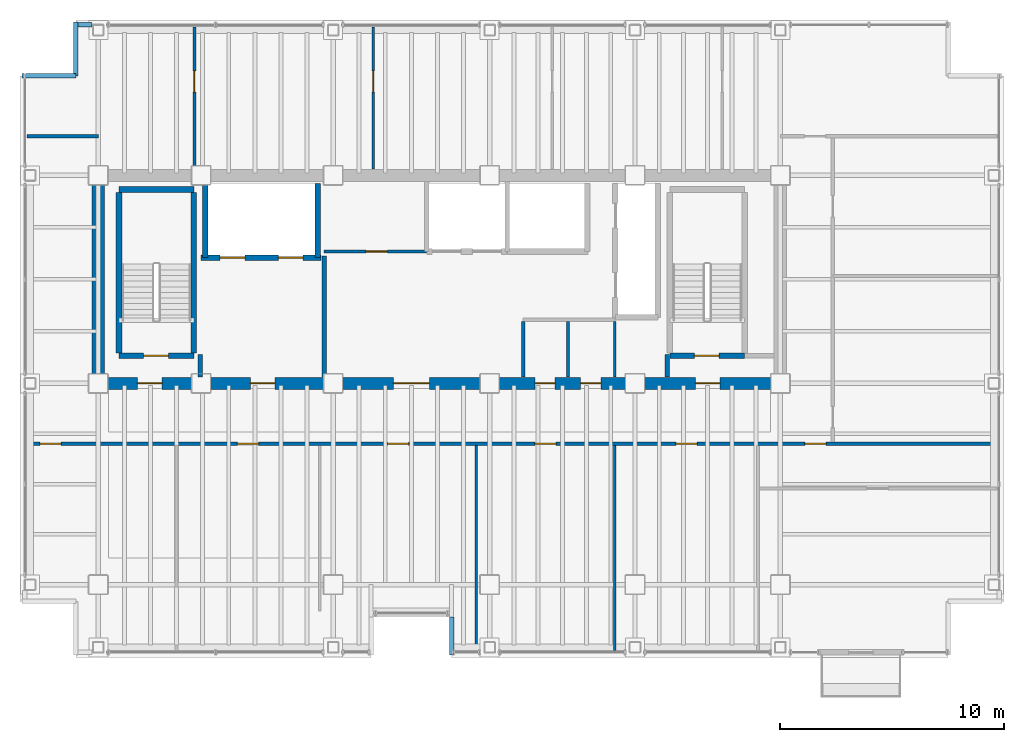
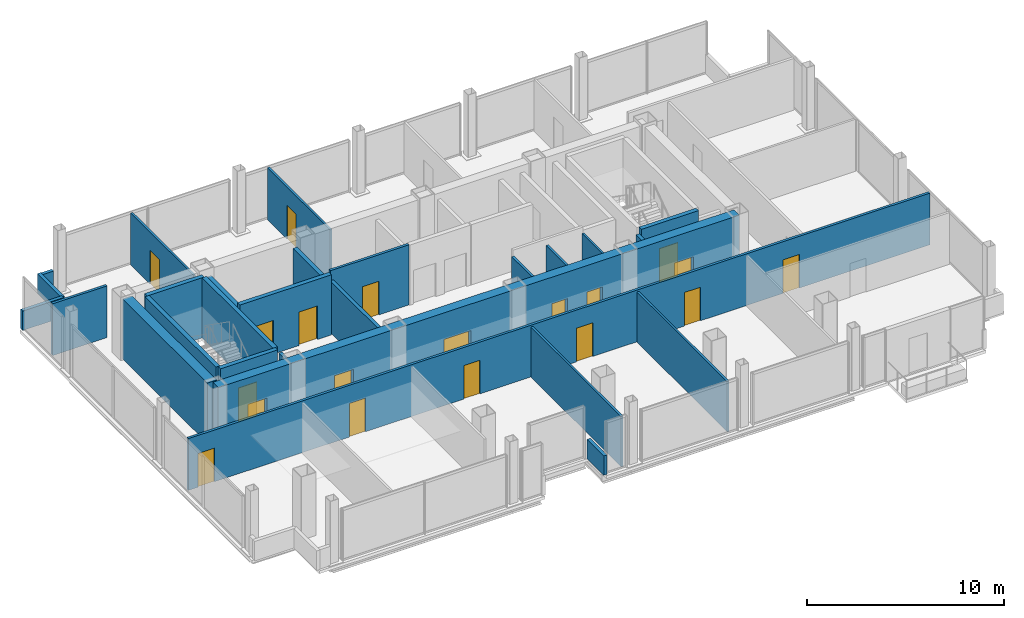
# One storey, part 13 of 16: 27 walls, 19 doors, 19 openings.
"""IFC4 building model written with IfcOpenShell, lengths in metres."""

import ifcopenshell
import ifcopenshell.guid

model = None  # the IFC model being written
_history = None  # IfcOwnerHistory: only IFC2X3 demands one
_inside = {}  # id of a spatial element -> (the spatial element, [elements in it])
_under = {}  # id of a project, library or spatial element -> (it, [spatial elements below it])
_declared = {}  # id of a project -> (the project, [libraries it declares])
_typed = {}  # id of a type object -> (the type object, [elements of that type])
_made_of = {}  # id of a material, layer set ... -> (it, [elements and type objects made of it])


def new_model(schema):
    """Start an empty IFC model of exactly this schema.

    Asked for "IFC4X3", IfcOpenShell would pick the latest addendum, in which some entities
    have other attributes; the version numbers below select the first issue.
    IFC2X3 requires an IfcOwnerHistory on every rooted entity: one is made here for all.
    """
    global model, _history
    if schema == "IFC4X3":
        model = ifcopenshell.file(schema_version=(4, 3, 0, 0))
    else:
        model = ifcopenshell.file(schema=schema)
    _inside.clear()
    _under.clear()
    _declared.clear()
    _typed.clear()
    _made_of.clear()
    _history = None
    if model.schema == "IFC2X3":
        org = make("IfcOrganization", Name="unknown")
        user = make(
            "IfcPersonAndOrganization",
            ThePerson=make("IfcPerson", FamilyName="unknown"),
            TheOrganization=org,
        )
        app = make(
            "IfcApplication",
            ApplicationDeveloper=org,
            Version="unknown",
            ApplicationFullName="unknown",
            ApplicationIdentifier="unknown",
        )
        _history = make(
            "IfcOwnerHistory",
            OwningUser=user,
            OwningApplication=app,
            ChangeAction="ADDED",
            CreationDate=0,
        )
    return model


def make(cls, **values):
    """One entity of the class cls with the attributes given. An attribute that is None is left unset."""
    return model.create_entity(
        cls, **{name: value for name, value in values.items() if value is not None}
    )


def rooted(cls, **values):
    """An entity with a GlobalId (a new one), such as an element, a storey or a relation."""
    return make(cls, GlobalId=ifcopenshell.guid.new(), OwnerHistory=_history, **values)


def si_unit(unit_type, name, prefix=None):
    """IfcSIUnit, for example si_unit("LENGTHUNIT", "METRE", prefix="MILLI")."""
    return make("IfcSIUnit", UnitType=unit_type, Prefix=prefix, Name=name)


def assignment(units):
    """IfcUnitAssignment: the units of a project."""
    return None if units is None else make("IfcUnitAssignment", Units=units)


def point(xyz):
    """IfcCartesianPoint."""
    return None if xyz is None else make("IfcCartesianPoint", Coordinates=xyz)


def direction(xyz):
    """IfcDirection."""
    return None if xyz is None else make("IfcDirection", DirectionRatios=xyz)


def frame(location, z_axis=None, x_axis=None):
    """IfcAxis2Placement3D, a coordinate frame: its origin and axes. An axis left out is left unset."""
    return make(
        "IfcAxis2Placement3D",
        Location=point(location),
        Axis=direction(z_axis),
        RefDirection=direction(x_axis),
    )


def frame_2d(location, x_axis=None):
    """IfcAxis2Placement2D, a coordinate frame in the plane: its origin and x axis."""
    return make(
        "IfcAxis2Placement2D", Location=point(location), RefDirection=direction(x_axis)
    )


def origin():
    """The frame at (0, 0, 0) with its axes left unset."""
    return frame((0.0, 0.0, 0.0))


def place(relative_to, where):
    """IfcLocalPlacement: puts the frame where relative to a parent placement (None: the world)."""
    return make(
        "IfcLocalPlacement", PlacementRelTo=relative_to, RelativePlacement=where
    )


def context(
    kind, dimensions, precision=None, world=None, true_north=None, identifier=None
):
    """IfcGeometricRepresentationContext, for example the 3D "Model" context."""
    return make(
        "IfcGeometricRepresentationContext",
        ContextIdentifier=identifier,
        ContextType=kind,
        CoordinateSpaceDimension=dimensions,
        Precision=precision,
        WorldCoordinateSystem=world,
        TrueNorth=true_north,
    )


def subcontext(parent, identifier, kind, view, scale=None):
    """IfcGeometricRepresentationSubContext, for example "Body" below "Model"."""
    return make(
        "IfcGeometricRepresentationSubContext",
        ContextIdentifier=identifier,
        ContextType=kind,
        ParentContext=parent,
        TargetScale=scale,
        TargetView=view,
    )


def project(units=None, contexts=None):
    """IfcProject with its units and contexts."""
    return rooted(
        "IfcProject",
        Name="project",
        RepresentationContexts=contexts,
        UnitsInContext=assignment(units),
    )


def spatial(cls, under=None, at=None, **own):
    """A site, building, storey or space (cls), placed at a placement, below another one or the project."""
    s = rooted(cls, ObjectPlacement=at, **own)
    if under is not None:
        _under.setdefault(under.id(), (under, []))[1].append(s)
    return s


def profile(cls, at=None, kind="AREA", **sizes):
    """A parametric profile (cls). Its sizes go by their IFC names, for example OverallWidth=200.0."""
    return make(cls, ProfileType=kind, Position=at, **sizes)


def rectangle(**sizes):
    """IfcRectangleProfileDef."""
    return profile("IfcRectangleProfileDef", **sizes)


def extrude(swept, where, along, depth):
    """IfcExtrudedAreaSolid: the profile swept, set in the frame where, extruded along a direction by depth."""
    return make(
        "IfcExtrudedAreaSolid",
        SweptArea=swept,
        Position=where,
        ExtrudedDirection=direction(along),
        Depth=depth,
    )


def shape(context_of_items, identifier, shape_type, items):
    """IfcShapeRepresentation: the items that make up one representation, for example the "Body"."""
    return make(
        "IfcShapeRepresentation",
        ContextOfItems=context_of_items,
        RepresentationIdentifier=identifier,
        RepresentationType=shape_type,
        Items=items,
    )


def material(Name=None, Category=None):
    """IfcMaterial."""
    return make("IfcMaterial", Name=Name, Category=Category)


def layer(
    of_material, thickness, ventilated=None, Name=None, Category=None, Priority=None
):
    """IfcMaterialLayer: one layer of a wall or slab, of a material (None: an air gap)."""
    return make(
        "IfcMaterialLayer",
        Material=of_material,
        LayerThickness=thickness,
        IsVentilated=ventilated,
        Name=Name,
        Category=Category,
        Priority=Priority,
    )


def layer_set(layers, Name=None):
    """IfcMaterialLayerSet."""
    return make("IfcMaterialLayerSet", MaterialLayers=layers, LayerSetName=Name)


def made_of(thing, what):
    """Note that an element or type object is made of a material, layer set ...; save() writes the relation."""
    if what is not None:
        _made_of.setdefault(what.id(), (what, []))[1].append(thing)
    return thing


def type_object(cls, material=None, **own):
    """A type object (cls), such as IfcWallType, which elements share."""
    return made_of(rooted(cls, **own), material)


def element(
    cls,
    number,
    at=None,
    inside=None,
    cuts=None,
    type_object=None,
    material=None,
    context=None,
    identifier="Body",
    shape_type=None,
    held_by="IfcProductDefinitionShape",
    body=None,
    shapes=None,
    **own,
):
    """One element of the class cls, such as IfcWall. Its Tag is "e" and its number.

    at: its placement. inside: the storey or other place that contains it. cuts: it is an
    opening in that element (IfcRelVoidsElement). A single representation is given by context,
    identifier, shape_type and body (its items); several are given by shapes. held_by: the class
    of the entity that holds the representations. save() writes the other relations.
    """
    e = rooted(cls, Tag="e%d" % number, ObjectPlacement=at, **own)
    if body is not None:
        shapes = [shape(context, identifier, shape_type, body)]
    if shapes is not None:
        e.Representation = make(held_by, Representations=shapes)
    if inside is not None:
        _inside.setdefault(inside.id(), (inside, []))[1].append(e)
    if cuts is not None:
        rooted(
            "IfcRelVoidsElement", RelatingBuildingElement=cuts, RelatedOpeningElement=e
        )
    if type_object is not None:
        _typed.setdefault(type_object.id(), (type_object, []))[1].append(e)
    return made_of(e, material)


def fill(opening, filler):
    """IfcRelFillsElement: the door or window that sits in an opening."""
    return rooted(
        "IfcRelFillsElement",
        RelatingOpeningElement=opening,
        RelatedBuildingElement=filler,
    )


def aggregate(whole, parts):
    """IfcRelAggregates: a whole, such as a stair, and the parts it consists of."""
    return rooted("IfcRelAggregates", RelatingObject=whole, RelatedObjects=parts)


def save(model, path):
    """Write the relations noted so far, then the file.

    IfcRelAggregates (storeys below a building ...), IfcRelContainedInSpatialStructure (elements
    in a storey), IfcRelDefinesByType, IfcRelAssociatesMaterial and IfcRelDeclares: one each for
    every whole, place, type object, material and project.
    """
    for whole, parts in _under.values():
        aggregate(whole, parts)
    for where, things in _inside.values():
        rooted(
            "IfcRelContainedInSpatialStructure",
            RelatedElements=things,
            RelatingStructure=where,
        )
    for kind, things in _typed.values():
        rooted("IfcRelDefinesByType", RelatedObjects=things, RelatingType=kind)
    for what, things in _made_of.values():
        rooted("IfcRelAssociatesMaterial", RelatedObjects=things, RelatingMaterial=what)
    for by, libraries in _declared.values():
        rooted("IfcRelDeclares", RelatingContext=by, RelatedDefinitions=libraries)
    model.write(path)


model = new_model("IFC4")

# Units and contexts
model_context = context("Model", 3, precision=1e-05, world=origin(), true_north=direction((0.0, 1.0)))
body_context = subcontext(model_context, "Body", "Model", "MODEL_VIEW")
ifc_project = project(units=[si_unit("LENGTHUNIT", "METRE"), si_unit("AREAUNIT", "SQUARE_METRE"), si_unit("VOLUMEUNIT", "CUBIC_METRE"), si_unit("PLANEANGLEUNIT", "RADIAN"), si_unit("MASSUNIT", "GRAM", prefix="KILO")], contexts=[model_context])

# Site, building, storey
site_placement = place(None, origin())
site = spatial("IfcSite", under=ifc_project, at=site_placement, CompositionType="ELEMENT")
building_placement = place(site_placement, origin())
building = spatial("IfcBuilding", under=site, at=building_placement, Name="Noeulbin Bourse Tower", CompositionType="ELEMENT")
storey_placement = place(building_placement, frame((0.0, 0.0, 177.300048828125)))
storey = spatial("IfcBuildingStorey", under=building, at=storey_placement, Name="L44", CompositionType="ELEMENT", Elevation=177.300048828125)

# Wall, openings, doors
ifc_material_1 = material(Name="Concrete C60/75", Category="concrete")
ifc_layer_1 = layer(ifc_material_1, 0.550048828125)
ifc_layer_set_1 = layer_set([ifc_layer_1], Name="Concrete C60/75")
wall_type_1 = type_object("IfcWallType", Name="WAL-CORE-550", PredefinedType="SHEAR", material=ifc_layer_set_1)
wall_1_placement = place(storey_placement, frame((13.5, 29.0, 0.0), z_axis=(0.0, 0.0, 1.0), x_axis=(1.0, 0.0, 0.0)))
wall_1 = element("IfcWall", 1, at=wall_1_placement, inside=storey, type_object=wall_type_1, Name="Rear Core South Shear Wall L44", PredefinedType="SHEAR", context=body_context, shape_type="SweptSolid", body=[
    extrude(rectangle(XDim=30.5, YDim=0.550048828125, at=frame_2d((15.25, 0.0))), origin(), (0.0, 0.0, 1.0), 3.719970703125),
])
opening_1_placement = place(wall_1_placement, frame((1.75, 0.0, 0.0)))
opening_1 = element("IfcOpeningElement", 2, at=opening_1_placement, cuts=wall_1, Name="Opening FD-11", PredefinedType="OPENING", context=body_context, shape_type="SweptSolid", body=[
    extrude(rectangle(XDim=1.10009765625, YDim=2.080078125, at=frame_2d((0.550048828125, 1.0400390625))), frame((0.0, 0.284912109375, 0.0), z_axis=(0.0, -1.0, 0.0), x_axis=(1.0, 0.0, 0.0)), (0.0, 0.0, 1.0), 0.570068359375),
])
opening_2_placement = place(wall_1_placement, frame((26.699951171875, 0.0, 0.0)))
opening_2 = element("IfcOpeningElement", 3, at=opening_2_placement, cuts=wall_1, Name="Opening FD-11", PredefinedType="OPENING", context=body_context, shape_type="SweptSolid", body=[
    extrude(rectangle(XDim=1.10009765625, YDim=2.080078125, at=frame_2d((0.550048828125, 1.0400390625))), frame((0.0, 0.284912109375, 0.0), z_axis=(0.0, -1.0, 0.0), x_axis=(1.0, 0.0, 0.0)), (0.0, 0.0, 1.0), 0.570068359375),
])
opening_3_placement = place(wall_1_placement, frame((6.800048828125, 0.0, 0.0)))
opening_3 = element("IfcOpeningElement", 4, at=opening_3_placement, cuts=wall_1, Name="Opening FD-11", PredefinedType="OPENING", context=body_context, shape_type="SweptSolid", body=[
    extrude(rectangle(XDim=1.10009765625, YDim=2.080078125, at=frame_2d((0.550048828125, 1.0400390625))), frame((0.0, 0.284912109375, 0.0), z_axis=(0.0, -1.0, 0.0), x_axis=(1.0, 0.0, 0.0)), (0.0, 0.0, 1.0), 0.570068359375),
])
opening_4_placement = place(wall_1_placement, frame((13.199951171875, 0.0, 0.0)))
opening_4 = element("IfcOpeningElement", 5, at=opening_4_placement, cuts=wall_1, Name="Opening ID-16", PredefinedType="OPENING", context=body_context, shape_type="SweptSolid", body=[
    extrude(rectangle(XDim=1.60009765625, YDim=2.080078125, at=frame_2d((0.800048828125, 1.0400390625))), frame((0.0, 0.284912109375, 0.0), z_axis=(0.0, -1.0, 0.0), x_axis=(1.0, 0.0, 0.0)), (0.0, 0.0, 1.0), 0.570068359375),
])
opening_5_placement = place(wall_1_placement, frame((19.530029296875, 0.0, 0.0)))
opening_5 = element("IfcOpeningElement", 6, at=opening_5_placement, cuts=wall_1, Name="Opening FD-09", PredefinedType="OPENING", context=body_context, shape_type="SweptSolid", body=[
    extrude(rectangle(XDim=0.89990234375, YDim=2.080078125, at=frame_2d((0.449951171875, 1.0400390625))), frame((0.0, 0.284912109375, 0.0), z_axis=(0.0, -1.0, 0.0), x_axis=(1.0, 0.0, 0.0)), (0.0, 0.0, 1.0), 0.570068359375),
])
opening_6_placement = place(wall_1_placement, frame((21.570068359375, 0.0, 0.0)))
opening_6 = element("IfcOpeningElement", 7, at=opening_6_placement, cuts=wall_1, Name="Opening FD-09", PredefinedType="OPENING", context=body_context, shape_type="SweptSolid", body=[
    extrude(rectangle(XDim=0.89990234375, YDim=2.080078125, at=frame_2d((0.449951171875, 1.0400390625))), frame((0.0, 0.284912109375, 0.0), z_axis=(0.0, -1.0, 0.0), x_axis=(1.0, 0.0, 0.0)), (0.0, 0.0, 1.0), 0.570068359375),
])
ifc_material_2 = material(Name="Acoustic Glazed Aluminium", Category="aluminium")
door_type_1 = type_object("IfcDoorType", Name="DR-DBL-1600", OperationType="DOUBLE_DOOR_SINGLE_SWING", PredefinedType="DOOR", material=ifc_material_2)
door_1_placement = place(opening_4_placement, origin())
door_1 = element("IfcDoor", 8, at=door_1_placement, inside=storey, type_object=door_type_1, Name="Passenger Lift Lobby Portal L44", OperationType="DOUBLE_DOOR_SINGLE_SWING", OverallHeight=2.080078125, OverallWidth=1.60009765625, PredefinedType="DOOR", context=body_context, shape_type="SweptSolid", body=[
    extrude(rectangle(XDim=1.60009765625, YDim=2.080078125, at=frame_2d((0.800048828125, 1.0400390625))), frame((0.0, 0.02490234375, 0.0), z_axis=(0.0, -1.0, 0.0), x_axis=(1.0, 0.0, 0.0)), (0.0, 0.0, 1.0), 0.050048828125),
])
fill(opening_4, door_1)
ifc_material_3 = material(Name="Fire-Rated Timber Core", Category="wood")
door_type_2 = type_object("IfcDoorType", Name="DR-FD30-900", OperationType="SINGLE_SWING_RIGHT", PredefinedType="DOOR", material=ifc_material_3)
door_2_placement = place(opening_5_placement, origin())
door_2 = element("IfcDoor", 9, at=door_2_placement, inside=storey, type_object=door_type_2, Name="Interior Door L44-06", OperationType="SINGLE_SWING_LEFT", OverallHeight=2.080078125, OverallWidth=0.89990234375, PredefinedType="DOOR", context=body_context, shape_type="SweptSolid", body=[
    extrude(rectangle(XDim=0.89990234375, YDim=2.080078125, at=frame_2d((0.449951171875, 1.0400390625))), frame((0.0, 0.02490234375, 0.0), z_axis=(0.0, -1.0, 0.0), x_axis=(1.0, 0.0, 0.0)), (0.0, 0.0, 1.0), 0.050048828125),
])
fill(opening_5, door_2)
door_3_placement = place(opening_6_placement, origin())
door_3 = element("IfcDoor", 10, at=door_3_placement, inside=storey, type_object=door_type_2, Name="Interior Door L44-07", OperationType="SINGLE_SWING_RIGHT", OverallHeight=2.080078125, OverallWidth=0.89990234375, PredefinedType="DOOR", context=body_context, shape_type="SweptSolid", body=[
    extrude(rectangle(XDim=0.89990234375, YDim=2.080078125, at=frame_2d((0.449951171875, 1.0400390625))), frame((0.0, 0.02490234375, 0.0), z_axis=(0.0, -1.0, 0.0), x_axis=(1.0, 0.0, 0.0)), (0.0, 0.0, 1.0), 0.050048828125),
])
fill(opening_6, door_3)
ifc_material_4 = material(Name="Fire-Rated Insulated Steel", Category="steel")
door_type_3 = type_object("IfcDoorType", Name="DR-FD60-1100", OperationType="SINGLE_SWING_LEFT", PredefinedType="DOOR", material=ifc_material_4)
door_4_placement = place(opening_1_placement, origin())
door_4 = element("IfcDoor", 11, at=door_4_placement, inside=storey, type_object=door_type_3, Name="West Stair Lobby Door L44", OperationType="SINGLE_SWING_RIGHT", OverallHeight=2.080078125, OverallWidth=1.10009765625, PredefinedType="DOOR", context=body_context, shape_type="SweptSolid", body=[
    extrude(rectangle(XDim=1.10009765625, YDim=2.080078125, at=frame_2d((0.550048828125, 1.0400390625))), frame((0.0, 0.02490234375, 0.0), z_axis=(0.0, -1.0, 0.0), x_axis=(1.0, 0.0, 0.0)), (0.0, 0.0, 1.0), 0.050048828125),
])
fill(opening_1, door_4)
door_5_placement = place(opening_2_placement, origin())
door_5 = element("IfcDoor", 12, at=door_5_placement, inside=storey, type_object=door_type_3, Name="East Stair Lobby Door L44", OperationType="SINGLE_SWING_LEFT", OverallHeight=2.080078125, OverallWidth=1.10009765625, PredefinedType="DOOR", context=body_context, shape_type="SweptSolid", body=[
    extrude(rectangle(XDim=1.10009765625, YDim=2.080078125, at=frame_2d((0.550048828125, 1.0400390625))), frame((0.0, 0.02490234375, 0.0), z_axis=(0.0, -1.0, 0.0), x_axis=(1.0, 0.0, 0.0)), (0.0, 0.0, 1.0), 0.050048828125),
])
fill(opening_2, door_5)
door_6_placement = place(opening_3_placement, origin())
door_6 = element("IfcDoor", 13, at=door_6_placement, inside=storey, type_object=door_type_3, Name="Firefighting Lobby Door L44", OperationType="SINGLE_SWING_RIGHT", OverallHeight=2.080078125, OverallWidth=1.10009765625, PredefinedType="DOOR", context=body_context, shape_type="SweptSolid", body=[
    extrude(rectangle(XDim=1.10009765625, YDim=2.080078125, at=frame_2d((0.550048828125, 1.0400390625))), frame((0.0, 0.02490234375, 0.0), z_axis=(0.0, -1.0, 0.0), x_axis=(1.0, 0.0, 0.0)), (0.0, 0.0, 1.0), 0.050048828125),
])
fill(opening_3, door_6)

# Walls
wall_2_placement = place(storey_placement, frame((13.5, 29.35009765625, 0.0), z_axis=(0.0, 0.0, 1.0), x_axis=(0.0, 1.0, 0.0)))
element("IfcWall", 14, at=wall_2_placement, inside=storey, type_object=wall_type_1, Name="Rear Core West Shear Wall L44", PredefinedType="SHEAR", context=body_context, shape_type="SweptSolid", body=[
    extrude(rectangle(XDim=8.599853515625, YDim=0.550048828125, at=frame_2d((4.2998046875, 0.0))), origin(), (0.0, 0.0, 1.0), 3.719970703125),
])
ifc_material_5 = material(Name="Concrete C40/50", Category="concrete")
ifc_layer_2 = layer(ifc_material_5, 0.199951171875)
ifc_layer_set_2 = layer_set([ifc_layer_2], Name="Concrete C40/50")
wall_type_2 = type_object("IfcWallType", Name="WAL-FIRE-200", PredefinedType="STANDARD", material=ifc_layer_set_2)
for number, where, z_axis, x_axis, name in (
    (15, (18.050048828125, 29.284912109375, 0.0), (0.0, 0.0, 1.0), (0.0, 1.0, 0.0), "Interior Partition Wall L44-09"),
    (16, (38.949951171875, 29.284912109375, 0.0), (0.0, 0.0, 1.0), (0.0, 1.0, 0.0), "Interior Partition Wall L44-10"),
):
    element("IfcWall", number, at=place(storey_placement, frame(where, z_axis=z_axis, x_axis=x_axis)), inside=storey, type_object=wall_type_2, Name=name, PredefinedType="STANDARD", context=body_context, shape_type="SweptSolid", body=[
        extrude(rectangle(XDim=1.01513671875, YDim=0.199951171875, at=frame_2d((0.507568359375, 0.0))), origin(), (0.0, 0.0, 1.0), 3.349853515625),
    ])
wall_3_placement = place(storey_placement, frame((23.60009765625, 29.284912109375, 0.0), z_axis=(0.0, 0.0, 1.0), x_axis=(0.0, 1.0, 0.0)))
element("IfcWall", 17, at=wall_3_placement, inside=storey, type_object=wall_type_2, Name="Interior Partition Wall L44-11", PredefinedType="STANDARD", context=body_context, shape_type="SweptSolid", body=[
    extrude(rectangle(XDim=5.4150390625, YDim=0.199951171875, at=frame_2d((2.70751953125, 0.0))), origin(), (0.0, 0.0, 1.0), 3.199951171875),
])
ifc_layer_3 = layer(ifc_material_5, 0.199951171875)
ifc_layer_set_3 = layer_set([ifc_layer_3], Name="Concrete C40/50")
wall_type_3 = type_object("IfcWallType", Name="WAL-PAR-200", PredefinedType="PARAPET", material=ifc_layer_set_3)
wall_4_placement = place(storey_placement, frame((12.60009765625, 45.030029296875, 0.0), z_axis=(0.0, 0.0, 1.0), x_axis=(1.0, 0.0, 0.0)))
element("IfcWall", 18, at=wall_4_placement, inside=storey, type_object=wall_type_3, Name="Perimeter Pier Spandrel Parapet L44-N1", PredefinedType="PARAPET", context=body_context, shape_type="SweptSolid", body=[
    extrude(rectangle(XDim=0.6298828125, YDim=0.199951171875, at=frame_2d((0.31494140625, 0.0))), origin(), (0.0, 0.0, 1.0), 1.199951171875),
])
for number, where, z_axis, x_axis, name in (
    (19, (10.10009765625, 42.75, 0.0), (0.0, 0.0, 1.0), (1.0, 0.0, 0.0), "Corner Notch Parapet L44-NW1"),
    (20, (12.5, 42.75, 0.0), (0.0, 0.0, 1.0), (0.0, 1.0, 0.0), "Corner Notch Parapet L44-NW2"),
):
    element("IfcWall", number, at=place(storey_placement, frame(where, z_axis=z_axis, x_axis=x_axis)), inside=storey, type_object=wall_type_3, Name=name, PredefinedType="PARAPET", context=body_context, shape_type="SweptSolid", body=[
        extrude(rectangle(XDim=2.39990234375, YDim=0.199951171875, at=frame_2d((1.199951171875, 0.0))), origin(), (0.0, 0.0, 1.0), 1.199951171875),
    ])
wall_5_placement = place(storey_placement, frame((29.300048828125, 18.550048828125, 0.0), z_axis=(0.0, 0.0, 1.0), x_axis=(0.0, -1.0, 0.0)))
element("IfcWall", 21, at=wall_5_placement, inside=storey, type_object=wall_type_3, Name="Sky-Garden Recess Parapet L44-E", PredefinedType="PARAPET", context=body_context, shape_type="SweptSolid", body=[
    extrude(rectangle(XDim=1.699951171875, YDim=0.199951171875, at=frame_2d((0.85009765625, 0.0))), origin(), (0.0, 0.0, 1.0), 1.199951171875),
])
ifc_material_6 = material(Name="Steel Stud Gypsum Partition", Category="steel")
ifc_layer_4 = layer(ifc_material_6, 0.1201171875)
ifc_layer_set_4 = layer_set([ifc_layer_4], Name="Steel Stud Gypsum Partition")
wall_type_4 = type_object("IfcWallType", Name="WAL-PRT-120", PredefinedType="PARTITIONING", material=ifc_layer_set_4)
for number, where, z_axis, x_axis, name in (
    (22, (36.60009765625, 29.284912109375, 0.0), (0.0, 0.0, 1.0), (0.0, 1.0, 0.0), "Interior Partition Wall L44-13"),
    (23, (34.5, 29.284912109375, 0.0), (0.0, 0.0, 1.0), (0.0, 1.0, 0.0), "Interior Partition Wall L44-14"),
):
    element("IfcWall", number, at=place(storey_placement, frame(where, z_axis=z_axis, x_axis=x_axis)), inside=storey, type_object=wall_type_4, Name=name, PredefinedType="PARTITIONING", context=body_context, shape_type="SweptSolid", body=[
        extrude(rectangle(XDim=2.47998046875, YDim=0.1201171875, at=frame_2d((1.239990234375, 0.0))), origin(), (0.0, 0.0, 1.0), 3.349853515625),
    ])
for number, where, z_axis, x_axis, name in (
    (24, (30.39990234375, 17.06005859375, 0.0), (0.0, 0.0, 1.0), (0.0, 1.0, 0.0), "Interior Partition Wall L44-18"),
    (25, (36.60009765625, 17.06005859375, 0.0), (0.0, 0.0, 1.0), (0.0, 1.0, 0.0), "Interior Partition Wall L44-19"),
):
    element("IfcWall", number, at=place(storey_placement, frame(where, z_axis=z_axis, x_axis=x_axis)), inside=storey, type_object=wall_type_4, Name=name, PredefinedType="PARTITIONING", context=body_context, shape_type="SweptSolid", body=[
        extrude(rectangle(XDim=9.155029296875, YDim=0.1201171875, at=frame_2d((4.57763671875, 0.0))), origin(), (0.0, 0.0, 1.0), 3.099853515625),
    ])

# Wall, opening, door
wall_6_placement = place(storey_placement, frame((17.800048828125, 38.5849609375, 0.0), z_axis=(0.0, 0.0, 1.0), x_axis=(0.0, 1.0, 0.0)))
wall_6 = element("IfcWall", 26, at=wall_6_placement, inside=storey, type_object=wall_type_4, Name="Interior Partition Wall L44-21", PredefinedType="PARTITIONING", context=body_context, shape_type="SweptSolid", body=[
    extrude(rectangle(XDim=6.35498046875, YDim=0.1201171875, at=frame_2d((3.177490234375, 0.0))), origin(), (0.0, 0.0, 1.0), 3.2119140625),
])
opening_7_placement = place(wall_6_placement, frame((3.43505859375, 0.0, 0.0)))
opening_7 = element("IfcOpeningElement", 27, at=opening_7_placement, cuts=wall_6, Name="Opening ID-09", PredefinedType="OPENING", context=body_context, shape_type="SweptSolid", body=[
    extrude(rectangle(XDim=0.949951171875, YDim=2.080078125, at=frame_2d((0.47509765625, 1.0400390625))), frame((0.0, 0.070068359375, 0.0), z_axis=(0.0, -1.0, 0.0), x_axis=(1.0, 0.0, 0.0)), (0.0, 0.0, 1.0), 0.14013671875),
])
ifc_material_7 = material(Name="Acoustic Solid-Core Timber", Category="wood")
door_type_4 = type_object("IfcDoorType", Name="DR-SINGLE-950", OperationType="SINGLE_SWING_LEFT", PredefinedType="DOOR", material=ifc_material_7)
door_7_placement = place(opening_7_placement, origin())
door_7 = element("IfcDoor", 28, at=door_7_placement, inside=storey, type_object=door_type_4, Name="Interior Door L44-18", OperationType="SINGLE_SWING_LEFT", OverallHeight=2.080078125, OverallWidth=0.949951171875, PredefinedType="DOOR", context=body_context, shape_type="SweptSolid", body=[
    extrude(rectangle(XDim=0.949951171875, YDim=2.080078125, at=frame_2d((0.47509765625, 1.0400390625))), frame((0.0, 0.02490234375, 0.0), z_axis=(0.0, -1.0, 0.0), x_axis=(1.0, 0.0, 0.0)), (0.0, 0.0, 1.0), 0.050048828125),
])
fill(opening_7, door_7)

wall_7_placement = place(storey_placement, frame((25.800048828125, 38.5849609375, 0.0), z_axis=(0.0, 0.0, 1.0), x_axis=(0.0, 1.0, 0.0)))
wall_7 = element("IfcWall", 29, at=wall_7_placement, inside=storey, type_object=wall_type_4, Name="Interior Partition Wall L44-22", PredefinedType="PARTITIONING", context=body_context, shape_type="SweptSolid", body=[
    extrude(rectangle(XDim=6.35498046875, YDim=0.1201171875, at=frame_2d((3.177490234375, 0.0))), origin(), (0.0, 0.0, 1.0), 3.2119140625),
])
opening_8_placement = place(wall_7_placement, frame((3.43505859375, 0.0, 0.0)))
opening_8 = element("IfcOpeningElement", 30, at=opening_8_placement, cuts=wall_7, Name="Opening ID-09", PredefinedType="OPENING", context=body_context, shape_type="SweptSolid", body=[
    extrude(rectangle(XDim=0.949951171875, YDim=2.080078125, at=frame_2d((0.47509765625, 1.0400390625))), frame((0.0, 0.070068359375, 0.0), z_axis=(0.0, -1.0, 0.0), x_axis=(1.0, 0.0, 0.0)), (0.0, 0.0, 1.0), 0.14013671875),
])
door_8_placement = place(opening_8_placement, origin())
door_8 = element("IfcDoor", 31, at=door_8_placement, inside=storey, type_object=door_type_4, Name="Interior Door L44-19", OperationType="SINGLE_SWING_RIGHT", OverallHeight=2.080078125, OverallWidth=0.949951171875, PredefinedType="DOOR", context=body_context, shape_type="SweptSolid", body=[
    extrude(rectangle(XDim=0.949951171875, YDim=2.080078125, at=frame_2d((0.47509765625, 1.0400390625))), frame((0.0, 0.02490234375, 0.0), z_axis=(0.0, -1.0, 0.0), x_axis=(1.0, 0.0, 0.0)), (0.0, 0.0, 1.0), 0.050048828125),
])
fill(opening_8, door_8)

ifc_material_8 = material(Name="Steel Stud Acoustic Gypsum Board", Category="steel")
ifc_layer_5 = layer(ifc_material_8, 0.14990234375)
ifc_layer_set_5 = layer_set([ifc_layer_5], Name="Steel Stud Acoustic Gypsum Board")
wall_type_5 = type_object("IfcWallType", Name="WAL-PRT-150", PredefinedType="PARTITIONING", material=ifc_layer_set_5)
wall_8_placement = place(storey_placement, frame((23.60009765625, 34.89990234375, 0.0), z_axis=(0.0, 0.0, 1.0), x_axis=(1.0, 0.0, 0.0)))
wall_8 = element("IfcWall", 32, at=wall_8_placement, inside=storey, type_object=wall_type_5, Name="Interior Partition Wall L44-02", PredefinedType="PARTITIONING", context=body_context, shape_type="SweptSolid", body=[
    extrude(rectangle(XDim=4.579833984375, YDim=0.14990234375, at=frame_2d((2.2900390625, 0.0))), origin(), (0.0, 0.0, 1.0), 3.719970703125),
])
opening_9_placement = place(wall_8_placement, frame((1.875, 0.0, 0.0)))
opening_9 = element("IfcOpeningElement", 33, at=opening_9_placement, cuts=wall_8, Name="Opening ID-09", PredefinedType="OPENING", context=body_context, shape_type="SweptSolid", body=[
    extrude(rectangle(XDim=0.949951171875, YDim=2.080078125, at=frame_2d((0.47509765625, 1.0400390625))), frame((0.0, 0.0849609375, 0.0), z_axis=(0.0, -1.0, 0.0), x_axis=(1.0, 0.0, 0.0)), (0.0, 0.0, 1.0), 0.169921875),
])
door_9_placement = place(opening_9_placement, origin())
door_9 = element("IfcDoor", 34, at=door_9_placement, inside=storey, type_object=door_type_4, Name="Archive Room Door L44", OperationType="SINGLE_SWING_RIGHT", OverallHeight=2.080078125, OverallWidth=0.949951171875, PredefinedType="DOOR", context=body_context, shape_type="SweptSolid", body=[
    extrude(rectangle(XDim=0.949951171875, YDim=2.080078125, at=frame_2d((0.47509765625, 1.0400390625))), frame((0.0, 0.02490234375, 0.0), z_axis=(0.0, -1.0, 0.0), x_axis=(1.0, 0.0, 0.0)), (0.0, 0.0, 1.0), 0.050048828125),
])
fill(opening_9, door_9)

# Wall, openings, doors
wall_9_placement = place(storey_placement, frame((10.31005859375, 26.300048828125, 0.0), z_axis=(0.0, 0.0, 1.0), x_axis=(1.0, 0.0, 0.0)))
wall_9 = element("IfcWall", 35, at=wall_9_placement, inside=storey, type_object=wall_type_5, Name="Interior Partition Wall L44-04", PredefinedType="PARTITIONING", context=body_context, shape_type="SweptSolid", body=[
    extrude(rectangle(XDim=43.3798828125, YDim=0.14990234375, at=frame_2d((21.68994140625, 0.0))), origin(), (0.0, 0.0, 1.0), 3.199951171875),
])
opening_10_placement = place(wall_9_placement, frame((0.574951171875, 0.0, 0.0)))
opening_10 = element("IfcOpeningElement", 36, at=opening_10_placement, cuts=wall_9, Name="Opening ID-09", PredefinedType="OPENING", context=body_context, shape_type="SweptSolid", body=[
    extrude(rectangle(XDim=0.949951171875, YDim=2.080078125, at=frame_2d((0.47509765625, 1.0400390625))), frame((0.0, 0.0849609375, 0.0), z_axis=(0.0, -1.0, 0.0), x_axis=(1.0, 0.0, 0.0)), (0.0, 0.0, 1.0), 0.169921875),
])
opening_11_placement = place(wall_9_placement, frame((9.4150390625, 0.0, 0.0)))
opening_11 = element("IfcOpeningElement", 37, at=opening_11_placement, cuts=wall_9, Name="Opening ID-09", PredefinedType="OPENING", context=body_context, shape_type="SweptSolid", body=[
    extrude(rectangle(XDim=0.949951171875, YDim=2.080078125, at=frame_2d((0.47509765625, 1.0400390625))), frame((0.0, 0.0849609375, 0.0), z_axis=(0.0, -1.0, 0.0), x_axis=(1.0, 0.0, 0.0)), (0.0, 0.0, 1.0), 0.169921875),
])
opening_12_placement = place(wall_9_placement, frame((16.114990234375, 0.0, 0.0)))
opening_12 = element("IfcOpeningElement", 38, at=opening_12_placement, cuts=wall_9, Name="Opening ID-09", PredefinedType="OPENING", context=body_context, shape_type="SweptSolid", body=[
    extrude(rectangle(XDim=0.949951171875, YDim=2.080078125, at=frame_2d((0.47509765625, 1.0400390625))), frame((0.0, 0.0849609375, 0.0), z_axis=(0.0, -1.0, 0.0), x_axis=(1.0, 0.0, 0.0)), (0.0, 0.0, 1.0), 0.169921875),
])
opening_13_placement = place(wall_9_placement, frame((22.715087890625, 0.0, 0.0)))
opening_13 = element("IfcOpeningElement", 39, at=opening_13_placement, cuts=wall_9, Name="Opening ID-09", PredefinedType="OPENING", context=body_context, shape_type="SweptSolid", body=[
    extrude(rectangle(XDim=0.949951171875, YDim=2.080078125, at=frame_2d((0.47509765625, 1.0400390625))), frame((0.0, 0.0849609375, 0.0), z_axis=(0.0, -1.0, 0.0), x_axis=(1.0, 0.0, 0.0)), (0.0, 0.0, 1.0), 0.169921875),
])
opening_14_placement = place(wall_9_placement, frame((29.014892578125, 0.0, 0.0)))
opening_14 = element("IfcOpeningElement", 40, at=opening_14_placement, cuts=wall_9, Name="Opening ID-09", PredefinedType="OPENING", context=body_context, shape_type="SweptSolid", body=[
    extrude(rectangle(XDim=0.949951171875, YDim=2.080078125, at=frame_2d((0.47509765625, 1.0400390625))), frame((0.0, 0.0849609375, 0.0), z_axis=(0.0, -1.0, 0.0), x_axis=(1.0, 0.0, 0.0)), (0.0, 0.0, 1.0), 0.169921875),
])
opening_15_placement = place(wall_9_placement, frame((34.7900390625, 0.0, 0.0)))
opening_15 = element("IfcOpeningElement", 41, at=opening_15_placement, cuts=wall_9, Name="Opening ID-09", PredefinedType="OPENING", context=body_context, shape_type="SweptSolid", body=[
    extrude(rectangle(XDim=0.949951171875, YDim=2.080078125, at=frame_2d((0.47509765625, 1.0400390625))), frame((0.0, 0.0849609375, 0.0), z_axis=(0.0, -1.0, 0.0), x_axis=(1.0, 0.0, 0.0)), (0.0, 0.0, 1.0), 0.169921875),
])
door_10_placement = place(opening_10_placement, origin())
door_10 = element("IfcDoor", 42, at=door_10_placement, inside=storey, type_object=door_type_4, Name="Interior Door L44-08", OperationType="SINGLE_SWING_LEFT", OverallHeight=2.080078125, OverallWidth=0.949951171875, PredefinedType="DOOR", context=body_context, shape_type="SweptSolid", body=[
    extrude(rectangle(XDim=0.949951171875, YDim=2.080078125, at=frame_2d((0.47509765625, 1.0400390625))), frame((0.0, 0.02490234375, 0.0), z_axis=(0.0, -1.0, 0.0), x_axis=(1.0, 0.0, 0.0)), (0.0, 0.0, 1.0), 0.050048828125),
])
fill(opening_10, door_10)
door_11_placement = place(opening_11_placement, origin())
door_11 = element("IfcDoor", 43, at=door_11_placement, inside=storey, type_object=door_type_4, Name="Interior Door L44-09", OperationType="SINGLE_SWING_RIGHT", OverallHeight=2.080078125, OverallWidth=0.949951171875, PredefinedType="DOOR", context=body_context, shape_type="SweptSolid", body=[
    extrude(rectangle(XDim=0.949951171875, YDim=2.080078125, at=frame_2d((0.47509765625, 1.0400390625))), frame((0.0, 0.02490234375, 0.0), z_axis=(0.0, -1.0, 0.0), x_axis=(1.0, 0.0, 0.0)), (0.0, 0.0, 1.0), 0.050048828125),
])
fill(opening_11, door_11)
door_12_placement = place(opening_12_placement, origin())
door_12 = element("IfcDoor", 44, at=door_12_placement, inside=storey, type_object=door_type_4, Name="Interior Door L44-10", OperationType="SINGLE_SWING_LEFT", OverallHeight=2.080078125, OverallWidth=0.949951171875, PredefinedType="DOOR", context=body_context, shape_type="SweptSolid", body=[
    extrude(rectangle(XDim=0.949951171875, YDim=2.080078125, at=frame_2d((0.47509765625, 1.0400390625))), frame((0.0, 0.02490234375, 0.0), z_axis=(0.0, -1.0, 0.0), x_axis=(1.0, 0.0, 0.0)), (0.0, 0.0, 1.0), 0.050048828125),
])
fill(opening_12, door_12)
door_13_placement = place(opening_13_placement, origin())
door_13 = element("IfcDoor", 45, at=door_13_placement, inside=storey, type_object=door_type_4, Name="Interior Door L44-11", OperationType="SINGLE_SWING_RIGHT", OverallHeight=2.080078125, OverallWidth=0.949951171875, PredefinedType="DOOR", context=body_context, shape_type="SweptSolid", body=[
    extrude(rectangle(XDim=0.949951171875, YDim=2.080078125, at=frame_2d((0.47509765625, 1.0400390625))), frame((0.0, 0.02490234375, 0.0), z_axis=(0.0, -1.0, 0.0), x_axis=(1.0, 0.0, 0.0)), (0.0, 0.0, 1.0), 0.050048828125),
])
fill(opening_13, door_13)
door_14_placement = place(opening_14_placement, origin())
door_14 = element("IfcDoor", 46, at=door_14_placement, inside=storey, type_object=door_type_4, Name="Interior Door L44-12", OperationType="SINGLE_SWING_LEFT", OverallHeight=2.080078125, OverallWidth=0.949951171875, PredefinedType="DOOR", context=body_context, shape_type="SweptSolid", body=[
    extrude(rectangle(XDim=0.949951171875, YDim=2.080078125, at=frame_2d((0.47509765625, 1.0400390625))), frame((0.0, 0.02490234375, 0.0), z_axis=(0.0, -1.0, 0.0), x_axis=(1.0, 0.0, 0.0)), (0.0, 0.0, 1.0), 0.050048828125),
])
fill(opening_14, door_14)
door_15_placement = place(opening_15_placement, origin())
door_15 = element("IfcDoor", 47, at=door_15_placement, inside=storey, type_object=door_type_4, Name="Interior Door L44-14", OperationType="SINGLE_SWING_LEFT", OverallHeight=2.080078125, OverallWidth=0.949951171875, PredefinedType="DOOR", context=body_context, shape_type="SweptSolid", body=[
    extrude(rectangle(XDim=0.949951171875, YDim=2.080078125, at=frame_2d((0.47509765625, 1.0400390625))), frame((0.0, 0.02490234375, 0.0), z_axis=(0.0, -1.0, 0.0), x_axis=(1.0, 0.0, 0.0)), (0.0, 0.0, 1.0), 0.050048828125),
])
fill(opening_15, door_15)

# Walls
wall_10_placement = place(storey_placement, frame((10.31005859375, 40.050048828125, 0.0), z_axis=(0.0, 0.0, 1.0), x_axis=(1.0, 0.0, 0.0)))
element("IfcWall", 48, at=wall_10_placement, inside=storey, type_object=wall_type_5, Name="Interior Partition Wall L44-07", PredefinedType="PARTITIONING", context=body_context, shape_type="SweptSolid", body=[
    extrude(rectangle(XDim=3.18994140625, YDim=0.14990234375, at=frame_2d((1.594970703125, 0.0))), origin(), (0.0, 0.0, 1.0), 3.199951171875),
])
wall_11_placement = place(storey_placement, frame((32.5, 29.284912109375, 0.0), z_axis=(0.0, 0.0, 1.0), x_axis=(0.0, 1.0, 0.0)))
element("IfcWall", 49, at=wall_11_placement, inside=storey, type_object=wall_type_5, Name="Interior Partition Wall L44-12", PredefinedType="PARTITIONING", context=body_context, shape_type="SweptSolid", body=[
    extrude(rectangle(XDim=2.47998046875, YDim=0.14990234375, at=frame_2d((1.239990234375, 0.0))), origin(), (0.0, 0.0, 1.0), 3.349853515625),
])

# Wall, opening, door
ifc_layer_6 = layer(ifc_material_5, 0.25)
ifc_layer_set_6 = layer_set([ifc_layer_6], Name="Concrete C40/50")
wall_type_6 = type_object("IfcWallType", Name="WAL-SHFT-250", PredefinedType="STANDARD", material=ifc_layer_set_6)
wall_12_placement = place(storey_placement, frame((14.429931640625, 30.235107421875, 0.0), z_axis=(0.0, 0.0, 1.0), x_axis=(1.0, 0.0, 0.0)))
wall_12 = element("IfcWall", 50, at=wall_12_placement, inside=storey, type_object=wall_type_6, Name="Stair ST-1 South Shaft Wall L44", PredefinedType="STANDARD", context=body_context, shape_type="SweptSolid", body=[
    extrude(rectangle(XDim=3.340087890625, YDim=0.25, at=frame_2d((1.669921875, 0.0))), origin(), (0.0, 0.0, 1.0), 3.719970703125),
])
opening_16_placement = place(wall_12_placement, frame((1.10009765625, 0.0, 0.0)))
opening_16 = element("IfcOpeningElement", 51, at=opening_16_placement, cuts=wall_12, Name="Opening FD-11", PredefinedType="OPENING", context=body_context, shape_type="SweptSolid", body=[
    extrude(rectangle(XDim=1.10009765625, YDim=2.080078125, at=frame_2d((0.550048828125, 1.0400390625))), frame((0.0, 0.135009765625, 0.0), z_axis=(0.0, -1.0, 0.0), x_axis=(1.0, 0.0, 0.0)), (0.0, 0.0, 1.0), 0.27001953125),
])
door_16_placement = place(opening_16_placement, origin())
door_16 = element("IfcDoor", 52, at=door_16_placement, inside=storey, type_object=door_type_3, Name="Protected Stair Entry Door ST1-L44", OperationType="SINGLE_SWING_RIGHT", OverallHeight=2.080078125, OverallWidth=1.10009765625, PredefinedType="DOOR", context=body_context, shape_type="SweptSolid", body=[
    extrude(rectangle(XDim=1.10009765625, YDim=2.080078125, at=frame_2d((0.550048828125, 1.0400390625))), frame((0.0, 0.02490234375, 0.0), z_axis=(0.0, -1.0, 0.0), x_axis=(1.0, 0.0, 0.0)), (0.0, 0.0, 1.0), 0.050048828125),
])
fill(opening_16, door_16)

# Walls
wall_13_placement = place(storey_placement, frame((14.429931640625, 37.6689453125, 0.0), z_axis=(0.0, 0.0, 1.0), x_axis=(1.0, 0.0, 0.0)))
element("IfcWall", 53, at=wall_13_placement, inside=storey, type_object=wall_type_6, Name="Stair ST-1 North Shaft Wall L44", PredefinedType="STANDARD", context=body_context, shape_type="SweptSolid", body=[
    extrude(rectangle(XDim=3.340087890625, YDim=0.25, at=frame_2d((1.669921875, 0.0))), origin(), (0.0, 0.0, 1.0), 3.719970703125),
])
for number, where, z_axis, x_axis, name in (
    (54, (14.425048828125, 30.360107421875, 0.0), (0.0, 0.0, 1.0), (0.0, 1.0, 0.0), "Stair ST-1 West Shaft Wall L44"),
    (55, (17.77490234375, 30.360107421875, 0.0), (0.0, 0.0, 1.0), (0.0, 1.0, 0.0), "Stair ST-1 East Shaft Wall L44"),
):
    element("IfcWall", number, at=place(storey_placement, frame(where, z_axis=z_axis, x_axis=x_axis)), inside=storey, type_object=wall_type_6, Name=name, PredefinedType="STANDARD", context=body_context, shape_type="SweptSolid", body=[
        extrude(rectangle(XDim=7.183837890625, YDim=0.25, at=frame_2d((3.591796875, 0.0))), origin(), (0.0, 0.0, 1.0), 3.719970703125),
    ])

# Wall, opening, door
wall_14_placement = place(storey_placement, frame((39.06005859375, 30.235107421875, 0.0), z_axis=(0.0, 0.0, 1.0), x_axis=(1.0, 0.0, 0.0)))
wall_14 = element("IfcWall", 56, at=wall_14_placement, inside=storey, type_object=wall_type_6, Name="Stair ST-2 South Shaft Wall L44", PredefinedType="STANDARD", context=body_context, shape_type="SweptSolid", body=[
    extrude(rectangle(XDim=3.33984375, YDim=0.25, at=frame_2d((1.669921875, 0.0))), origin(), (0.0, 0.0, 1.0), 3.719970703125),
])
opening_17_placement = place(wall_14_placement, frame((1.10009765625, 0.0, 0.0)))
opening_17 = element("IfcOpeningElement", 57, at=opening_17_placement, cuts=wall_14, Name="Opening FD-11", PredefinedType="OPENING", context=body_context, shape_type="SweptSolid", body=[
    extrude(rectangle(XDim=1.10009765625, YDim=2.080078125, at=frame_2d((0.550048828125, 1.0400390625))), frame((0.0, 0.135009765625, 0.0), z_axis=(0.0, -1.0, 0.0), x_axis=(1.0, 0.0, 0.0)), (0.0, 0.0, 1.0), 0.27001953125),
])
door_17_placement = place(opening_17_placement, origin())
door_17 = element("IfcDoor", 58, at=door_17_placement, inside=storey, type_object=door_type_3, Name="Protected Stair Entry Door ST2-L44", OperationType="SINGLE_SWING_LEFT", OverallHeight=2.080078125, OverallWidth=1.10009765625, PredefinedType="DOOR", context=body_context, shape_type="SweptSolid", body=[
    extrude(rectangle(XDim=1.10009765625, YDim=2.080078125, at=frame_2d((0.550048828125, 1.0400390625))), frame((0.0, 0.02490234375, 0.0), z_axis=(0.0, -1.0, 0.0), x_axis=(1.0, 0.0, 0.0)), (0.0, 0.0, 1.0), 0.050048828125),
])
fill(opening_17, door_17)

# Wall, openings, doors
wall_15_placement = place(storey_placement, frame((18.10009765625, 34.6201171875, 0.0), z_axis=(0.0, 0.0, 1.0), x_axis=(1.0, 0.0, 0.0)))
wall_15 = element("IfcWall", 59, at=wall_15_placement, inside=storey, type_object=wall_type_6, Name="Firefighting Lift Shaft Front L44", PredefinedType="STANDARD", context=body_context, shape_type="SweptSolid", body=[
    extrude(rectangle(XDim=5.349853515625, YDim=0.25, at=frame_2d((2.6748046875, 0.0))), origin(), (0.0, 0.0, 1.0), 3.719970703125),
])
opening_18_placement = place(wall_15_placement, frame((0.85009765625, 0.0, 0.0)))
opening_18 = element("IfcOpeningElement", 60, at=opening_18_placement, cuts=wall_15, Name="Opening LD-11", PredefinedType="OPENING", context=body_context, shape_type="SweptSolid", body=[
    extrude(rectangle(XDim=1.10009765625, YDim=2.080078125, at=frame_2d((0.550048828125, 1.0400390625))), frame((0.0, 0.135009765625, 0.0), z_axis=(0.0, -1.0, 0.0), x_axis=(1.0, 0.0, 0.0)), (0.0, 0.0, 1.0), 0.27001953125),
])
opening_19_placement = place(wall_15_placement, frame((3.449951171875, 0.0, 0.0)))
opening_19 = element("IfcOpeningElement", 61, at=opening_19_placement, cuts=wall_15, Name="Opening LD-11", PredefinedType="OPENING", context=body_context, shape_type="SweptSolid", body=[
    extrude(rectangle(XDim=1.10009765625, YDim=2.080078125, at=frame_2d((0.550048828125, 1.0400390625))), frame((0.0, 0.135009765625, 0.0), z_axis=(0.0, -1.0, 0.0), x_axis=(1.0, 0.0, 0.0)), (0.0, 0.0, 1.0), 0.27001953125),
])
ifc_material_9 = material(Name="Brushed Stainless Steel 316", Category="steel")
door_type_5 = type_object("IfcDoorType", Name="DR-LIFT-1100", OperationType="SLIDING_TO_LEFT", PredefinedType="DOOR", material=ifc_material_9)
door_18_placement = place(opening_18_placement, origin())
door_18 = element("IfcDoor", 62, at=door_18_placement, inside=storey, type_object=door_type_5, Name="Lift Landing Door LD-FL-01-L44", OperationType="SLIDING_TO_LEFT", OverallHeight=2.080078125, OverallWidth=1.10009765625, PredefinedType="DOOR", context=body_context, shape_type="SweptSolid", body=[
    extrude(rectangle(XDim=1.10009765625, YDim=2.080078125, at=frame_2d((0.550048828125, 1.0400390625))), frame((0.0, 0.02490234375, 0.0), z_axis=(0.0, -1.0, 0.0), x_axis=(1.0, 0.0, 0.0)), (0.0, 0.0, 1.0), 0.050048828125),
])
fill(opening_18, door_18)
door_19_placement = place(opening_19_placement, origin())
door_19 = element("IfcDoor", 63, at=door_19_placement, inside=storey, type_object=door_type_5, Name="Lift Landing Door LD-FL-02-L44", OperationType="SLIDING_TO_LEFT", OverallHeight=2.080078125, OverallWidth=1.10009765625, PredefinedType="DOOR", context=body_context, shape_type="SweptSolid", body=[
    extrude(rectangle(XDim=1.10009765625, YDim=2.080078125, at=frame_2d((0.550048828125, 1.0400390625))), frame((0.0, 0.02490234375, 0.0), z_axis=(0.0, -1.0, 0.0), x_axis=(1.0, 0.0, 0.0)), (0.0, 0.0, 1.0), 0.050048828125),
])
fill(opening_19, door_19)

# Walls
for number, where, z_axis, x_axis, name in (
    (64, (18.280029296875, 34.6201171875, 0.0), (0.0, 0.0, 1.0), (0.0, 1.0, 0.0), "Firefighting Lift West Shaft Wall L44"),
    (65, (23.320068359375, 34.6201171875, 0.0), (0.0, 0.0, 1.0), (0.0, 1.0, 0.0), "Firefighting Lift East Shaft Wall L44"),
):
    element("IfcWall", number, at=place(storey_placement, frame(where, z_axis=z_axis, x_axis=x_axis)), inside=storey, type_object=wall_type_6, Name=name, PredefinedType="STANDARD", context=body_context, shape_type="SweptSolid", body=[
        extrude(rectangle(XDim=3.329833984375, YDim=0.25, at=frame_2d((1.6650390625, 0.0))), origin(), (0.0, 0.0, 1.0), 3.349853515625),
    ])

save(model, "model.ifc")
